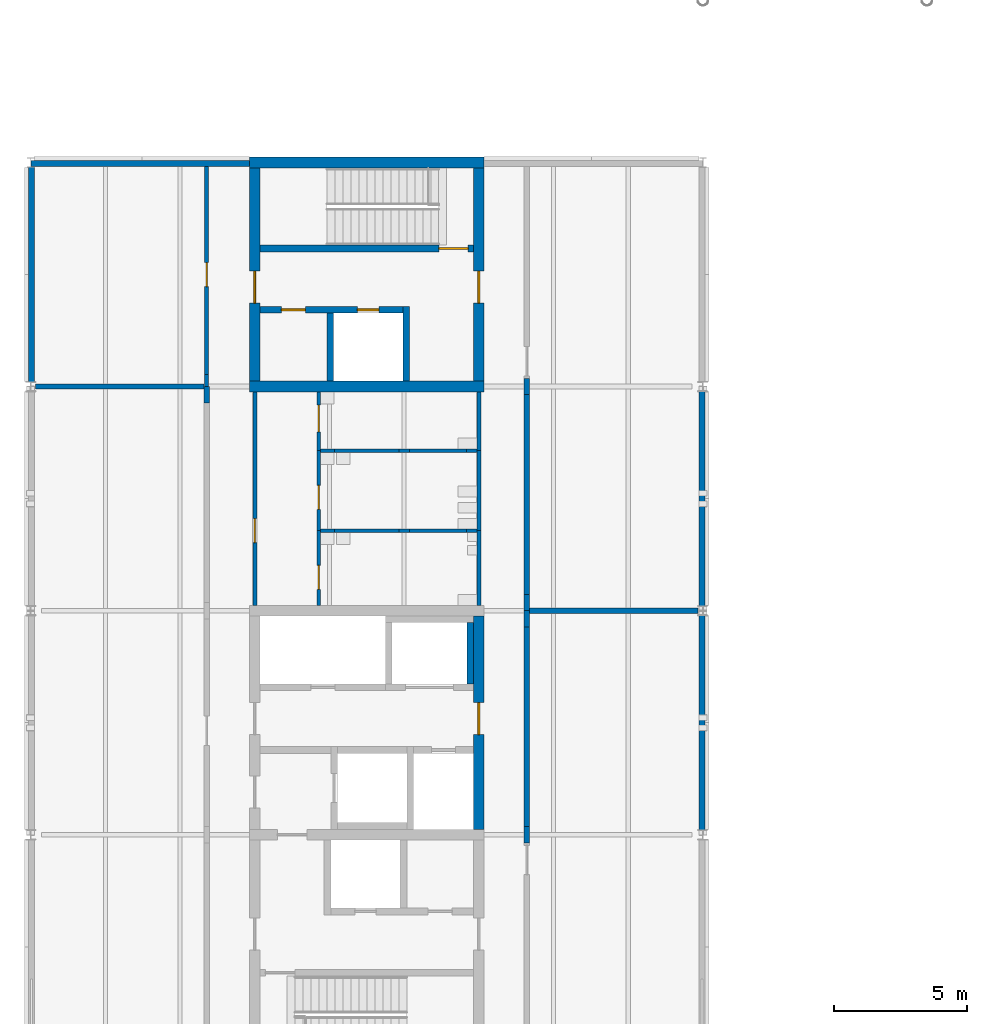
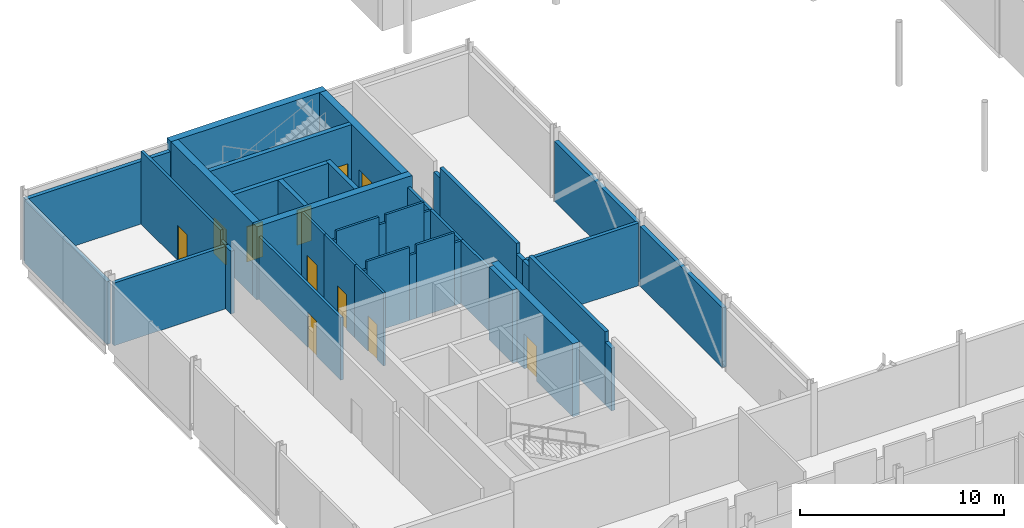
# One storey, part 51 of 89: 42 walls, 11 doors, 11 openings.
"""IFC4 building model written with IfcOpenShell, lengths in metres."""

import ifcopenshell
import ifcopenshell.guid

model = None  # the IFC model being written
_history = None  # IfcOwnerHistory: only IFC2X3 demands one
_inside = {}  # id of a spatial element -> (the spatial element, [elements in it])
_under = {}  # id of a project, library or spatial element -> (it, [spatial elements below it])
_declared = {}  # id of a project -> (the project, [libraries it declares])
_typed = {}  # id of a type object -> (the type object, [elements of that type])
_made_of = {}  # id of a material, layer set ... -> (it, [elements and type objects made of it])


def new_model(schema):
    """Start an empty IFC model of exactly this schema.

    Asked for "IFC4X3", IfcOpenShell would pick the latest addendum, in which some entities
    have other attributes; the version numbers below select the first issue.
    IFC2X3 requires an IfcOwnerHistory on every rooted entity: one is made here for all.
    """
    global model, _history
    if schema == "IFC4X3":
        model = ifcopenshell.file(schema_version=(4, 3, 0, 0))
    else:
        model = ifcopenshell.file(schema=schema)
    _inside.clear()
    _under.clear()
    _declared.clear()
    _typed.clear()
    _made_of.clear()
    _history = None
    if model.schema == "IFC2X3":
        org = make("IfcOrganization", Name="unknown")
        user = make(
            "IfcPersonAndOrganization",
            ThePerson=make("IfcPerson", FamilyName="unknown"),
            TheOrganization=org,
        )
        app = make(
            "IfcApplication",
            ApplicationDeveloper=org,
            Version="unknown",
            ApplicationFullName="unknown",
            ApplicationIdentifier="unknown",
        )
        _history = make(
            "IfcOwnerHistory",
            OwningUser=user,
            OwningApplication=app,
            ChangeAction="ADDED",
            CreationDate=0,
        )
    return model


def make(cls, **values):
    """One entity of the class cls with the attributes given. An attribute that is None is left unset."""
    return model.create_entity(
        cls, **{name: value for name, value in values.items() if value is not None}
    )


def rooted(cls, **values):
    """An entity with a GlobalId (a new one), such as an element, a storey or a relation."""
    return make(cls, GlobalId=ifcopenshell.guid.new(), OwnerHistory=_history, **values)


def si_unit(unit_type, name, prefix=None):
    """IfcSIUnit, for example si_unit("LENGTHUNIT", "METRE", prefix="MILLI")."""
    return make("IfcSIUnit", UnitType=unit_type, Prefix=prefix, Name=name)


def assignment(units):
    """IfcUnitAssignment: the units of a project."""
    return None if units is None else make("IfcUnitAssignment", Units=units)


def point(xyz):
    """IfcCartesianPoint."""
    return None if xyz is None else make("IfcCartesianPoint", Coordinates=xyz)


def direction(xyz):
    """IfcDirection."""
    return None if xyz is None else make("IfcDirection", DirectionRatios=xyz)


def frame(location, z_axis=None, x_axis=None):
    """IfcAxis2Placement3D, a coordinate frame: its origin and axes. An axis left out is left unset."""
    return make(
        "IfcAxis2Placement3D",
        Location=point(location),
        Axis=direction(z_axis),
        RefDirection=direction(x_axis),
    )


def frame_2d(location, x_axis=None):
    """IfcAxis2Placement2D, a coordinate frame in the plane: its origin and x axis."""
    return make(
        "IfcAxis2Placement2D", Location=point(location), RefDirection=direction(x_axis)
    )


def origin():
    """The frame at (0, 0, 0) with its axes left unset."""
    return frame((0.0, 0.0, 0.0))


def place(relative_to, where):
    """IfcLocalPlacement: puts the frame where relative to a parent placement (None: the world)."""
    return make(
        "IfcLocalPlacement", PlacementRelTo=relative_to, RelativePlacement=where
    )


def context(
    kind, dimensions, precision=None, world=None, true_north=None, identifier=None
):
    """IfcGeometricRepresentationContext, for example the 3D "Model" context."""
    return make(
        "IfcGeometricRepresentationContext",
        ContextIdentifier=identifier,
        ContextType=kind,
        CoordinateSpaceDimension=dimensions,
        Precision=precision,
        WorldCoordinateSystem=world,
        TrueNorth=true_north,
    )


def subcontext(parent, identifier, kind, view, scale=None):
    """IfcGeometricRepresentationSubContext, for example "Body" below "Model"."""
    return make(
        "IfcGeometricRepresentationSubContext",
        ContextIdentifier=identifier,
        ContextType=kind,
        ParentContext=parent,
        TargetScale=scale,
        TargetView=view,
    )


def project(units=None, contexts=None):
    """IfcProject with its units and contexts."""
    return rooted(
        "IfcProject",
        Name="project",
        RepresentationContexts=contexts,
        UnitsInContext=assignment(units),
    )


def spatial(cls, under=None, at=None, **own):
    """A site, building, storey or space (cls), placed at a placement, below another one or the project."""
    s = rooted(cls, ObjectPlacement=at, **own)
    if under is not None:
        _under.setdefault(under.id(), (under, []))[1].append(s)
    return s


def profile(cls, at=None, kind="AREA", **sizes):
    """A parametric profile (cls). Its sizes go by their IFC names, for example OverallWidth=200.0."""
    return make(cls, ProfileType=kind, Position=at, **sizes)


def rectangle(**sizes):
    """IfcRectangleProfileDef."""
    return profile("IfcRectangleProfileDef", **sizes)


def extrude(swept, where, along, depth):
    """IfcExtrudedAreaSolid: the profile swept, set in the frame where, extruded along a direction by depth."""
    return make(
        "IfcExtrudedAreaSolid",
        SweptArea=swept,
        Position=where,
        ExtrudedDirection=direction(along),
        Depth=depth,
    )


def shape(context_of_items, identifier, shape_type, items):
    """IfcShapeRepresentation: the items that make up one representation, for example the "Body"."""
    return make(
        "IfcShapeRepresentation",
        ContextOfItems=context_of_items,
        RepresentationIdentifier=identifier,
        RepresentationType=shape_type,
        Items=items,
    )


def material(Name=None, Category=None):
    """IfcMaterial."""
    return make("IfcMaterial", Name=Name, Category=Category)


def layer(
    of_material, thickness, ventilated=None, Name=None, Category=None, Priority=None
):
    """IfcMaterialLayer: one layer of a wall or slab, of a material (None: an air gap)."""
    return make(
        "IfcMaterialLayer",
        Material=of_material,
        LayerThickness=thickness,
        IsVentilated=ventilated,
        Name=Name,
        Category=Category,
        Priority=Priority,
    )


def layer_set(layers, Name=None):
    """IfcMaterialLayerSet."""
    return make("IfcMaterialLayerSet", MaterialLayers=layers, LayerSetName=Name)


def made_of(thing, what):
    """Note that an element or type object is made of a material, layer set ...; save() writes the relation."""
    if what is not None:
        _made_of.setdefault(what.id(), (what, []))[1].append(thing)
    return thing


def type_object(cls, material=None, **own):
    """A type object (cls), such as IfcWallType, which elements share."""
    return made_of(rooted(cls, **own), material)


def element(
    cls,
    number,
    at=None,
    inside=None,
    cuts=None,
    type_object=None,
    material=None,
    context=None,
    identifier="Body",
    shape_type=None,
    held_by="IfcProductDefinitionShape",
    body=None,
    shapes=None,
    **own,
):
    """One element of the class cls, such as IfcWall. Its Tag is "e" and its number.

    at: its placement. inside: the storey or other place that contains it. cuts: it is an
    opening in that element (IfcRelVoidsElement). A single representation is given by context,
    identifier, shape_type and body (its items); several are given by shapes. held_by: the class
    of the entity that holds the representations. save() writes the other relations.
    """
    e = rooted(cls, Tag="e%d" % number, ObjectPlacement=at, **own)
    if body is not None:
        shapes = [shape(context, identifier, shape_type, body)]
    if shapes is not None:
        e.Representation = make(held_by, Representations=shapes)
    if inside is not None:
        _inside.setdefault(inside.id(), (inside, []))[1].append(e)
    if cuts is not None:
        rooted(
            "IfcRelVoidsElement", RelatingBuildingElement=cuts, RelatedOpeningElement=e
        )
    if type_object is not None:
        _typed.setdefault(type_object.id(), (type_object, []))[1].append(e)
    return made_of(e, material)


def fill(opening, filler):
    """IfcRelFillsElement: the door or window that sits in an opening."""
    return rooted(
        "IfcRelFillsElement",
        RelatingOpeningElement=opening,
        RelatedBuildingElement=filler,
    )


def aggregate(whole, parts):
    """IfcRelAggregates: a whole, such as a stair, and the parts it consists of."""
    return rooted("IfcRelAggregates", RelatingObject=whole, RelatedObjects=parts)


def save(model, path):
    """Write the relations noted so far, then the file.

    IfcRelAggregates (storeys below a building ...), IfcRelContainedInSpatialStructure (elements
    in a storey), IfcRelDefinesByType, IfcRelAssociatesMaterial and IfcRelDeclares: one each for
    every whole, place, type object, material and project.
    """
    for whole, parts in _under.values():
        aggregate(whole, parts)
    for where, things in _inside.values():
        rooted(
            "IfcRelContainedInSpatialStructure",
            RelatedElements=things,
            RelatingStructure=where,
        )
    for kind, things in _typed.values():
        rooted("IfcRelDefinesByType", RelatedObjects=things, RelatingType=kind)
    for what, things in _made_of.values():
        rooted("IfcRelAssociatesMaterial", RelatedObjects=things, RelatingMaterial=what)
    for by, libraries in _declared.values():
        rooted("IfcRelDeclares", RelatingContext=by, RelatedDefinitions=libraries)
    model.write(path)


model = new_model("IFC4")

# Units and contexts
model_context = context("Model", 3, precision=1e-05, world=origin(), true_north=direction((0.0, 1.0)))
body_context = subcontext(model_context, "Body", "Model", "MODEL_VIEW")
ifc_project = project(units=[si_unit("LENGTHUNIT", "METRE"), si_unit("AREAUNIT", "SQUARE_METRE"), si_unit("VOLUMEUNIT", "CUBIC_METRE"), si_unit("PLANEANGLEUNIT", "RADIAN"), si_unit("MASSUNIT", "GRAM", prefix="KILO")], contexts=[model_context])

# Site, building, storey
site_placement = place(None, origin())
site = spatial("IfcSite", under=ifc_project, at=site_placement, CompositionType="ELEMENT")
building_placement = place(site_placement, origin())
building = spatial("IfcBuilding", under=site, at=building_placement, Name="Hlaing Beacon Police Headquarters", CompositionType="ELEMENT")
storey_placement = place(building_placement, frame((0.0, 0.0, 9.89990234375)))
storey = spatial("IfcBuildingStorey", under=building, at=storey_placement, Name="L02", CompositionType="ELEMENT", Elevation=9.89990234375)

# Wall, opening, door
ifc_material_1 = material(Name="Concrete C60/75", Category="concrete")
ifc_layer_1 = layer(ifc_material_1, 0.39990234375)
ifc_layer_set_1 = layer_set([ifc_layer_1], Name="Concrete C60/75")
wall_type_1 = type_object("IfcWallType", Name="Core shear wall 400", PredefinedType="SHEAR", material=ifc_layer_set_1)
wall_1_placement = place(storey_placement, frame((25.199951171875, 42.199951171875, 0.0), z_axis=(0.0, 0.0, 1.0), x_axis=(0.0, 1.0, 0.0)))
wall_1 = element("IfcWall", 1, at=wall_1_placement, inside=storey, type_object=wall_type_1, Name="Core shear wall", PredefinedType="SHEAR", context=body_context, shape_type="SweptSolid", body=[
    extrude(rectangle(XDim=8.0, YDim=0.39990234375, at=frame_2d((4.0, 0.0))), origin(), (0.0, 0.0, 1.0), 4.3701171875),
])
opening_1_placement = place(wall_1_placement, frame((3.550048828125, 0.0, 0.0)))
opening_1 = element("IfcOpeningElement", 2, at=opening_1_placement, cuts=wall_1, Name="Opening L02-930", PredefinedType="OPENING", context=body_context, shape_type="SweptSolid", body=[
    extrude(rectangle(XDim=1.199951171875, YDim=2.10009765625, at=frame_2d((0.60009765625, 1.050048828125))), frame((0.0, 0.2099609375, 0.0), z_axis=(0.0, -1.0, 0.0), x_axis=(1.0, 0.0, 0.0)), (0.0, 0.0, 1.0), 0.419921875),
])
ifc_material_2 = material(Name="Steel fire door leaf", Category="steel")
ifc_layer_2 = layer(ifc_material_2, 0.070068359375)
ifc_layer_set_2 = layer_set([ifc_layer_2], Name="Steel fire door leaf")
door_type_1 = type_object("IfcDoorType", Name="Steel fire door FD60S 1200x2100", OperationType="SINGLE_SWING_LEFT", PredefinedType="DOOR", material=ifc_layer_set_2)
door_1_placement = place(opening_1_placement, origin())
door_1 = element("IfcDoor", 3, at=door_1_placement, inside=storey, type_object=door_type_1, Name="Door Lift Lobby Entry", OperationType="SINGLE_SWING_LEFT", OverallHeight=2.10009765625, OverallWidth=1.199951171875, PredefinedType="DOOR", context=body_context, shape_type="SweptSolid", body=[
    extrude(rectangle(XDim=1.199951171875, YDim=2.10009765625, at=frame_2d((0.60009765625, 1.050048828125))), frame((0.0, 0.03515625, 0.0), z_axis=(0.0, -1.0, 0.0), x_axis=(1.0, 0.0, 0.0)), (0.0, 0.0, 1.0), 0.070068359375),
])
fill(opening_1, door_1)

# Walls
for number, where, z_axis, x_axis, name in (
    (4, (16.60009765625, 58.800048828125, 0.0), (0.0, 0.0, 1.0), (1.0, 0.0, 0.0), "Core shear wall"),
    (5, (16.60009765625, 67.199951171875, 0.0), (0.0, 0.0, 1.0), (1.0, 0.0, 0.0), "Core shear wall"),
):
    element("IfcWall", number, at=place(storey_placement, frame(where, z_axis=z_axis, x_axis=x_axis)), inside=storey, type_object=wall_type_1, Name=name, PredefinedType="SHEAR", context=body_context, shape_type="SweptSolid", body=[
        extrude(rectangle(XDim=8.7998046875, YDim=0.39990234375, at=frame_2d((4.39990234375, 0.0))), origin(), (0.0, 0.0, 1.0), 4.3701171875),
    ])

# Wall, opening, door
wall_2_placement = place(storey_placement, frame((16.800048828125, 59.0, 0.0), z_axis=(0.0, 0.0, 1.0), x_axis=(0.0, 1.0, 0.0)))
wall_2 = element("IfcWall", 6, at=wall_2_placement, inside=storey, type_object=wall_type_1, Name="Core shear wall", PredefinedType="SHEAR", context=body_context, shape_type="SweptSolid", body=[
    extrude(rectangle(XDim=8.0, YDim=0.39990234375, at=frame_2d((4.0, 0.0))), origin(), (0.0, 0.0, 1.0), 4.3701171875),
])
opening_2_placement = place(wall_2_placement, frame((2.925048828125, 0.0, 0.0)))
opening_2 = element("IfcOpeningElement", 7, at=opening_2_placement, cuts=wall_2, Name="Opening L02-936", PredefinedType="OPENING", context=body_context, shape_type="SweptSolid", body=[
    extrude(rectangle(XDim=1.199951171875, YDim=2.10009765625, at=frame_2d((0.60009765625, 1.050048828125))), frame((0.0, 0.2099609375, 0.0), z_axis=(0.0, -1.0, 0.0), x_axis=(1.0, 0.0, 0.0)), (0.0, 0.0, 1.0), 0.419921875),
])
door_2_placement = place(opening_2_placement, frame((1.199951171875, 0.0, 0.0), z_axis=(0.0, 0.0, 1.0), x_axis=(-1.0, 0.0, 0.0)))
door_2 = element("IfcDoor", 8, at=door_2_placement, inside=storey, type_object=door_type_1, Name="Door Stair Lobby ST-P Entry", OperationType="SINGLE_SWING_LEFT", OverallHeight=2.10009765625, OverallWidth=1.199951171875, PredefinedType="DOOR", context=body_context, shape_type="SweptSolid", body=[
    extrude(rectangle(XDim=1.199951171875, YDim=2.10009765625, at=frame_2d((0.599853515625, 1.050048828125))), frame((0.0, 0.034912109375, 0.0), z_axis=(0.0, -1.0, 0.0), x_axis=(1.0, 0.0, 0.0)), (0.0, 0.0, 1.0), 0.070068359375),
])
fill(opening_2, door_2)

wall_3_placement = place(storey_placement, frame((25.199951171875, 59.0, 0.0), z_axis=(0.0, 0.0, 1.0), x_axis=(0.0, 1.0, 0.0)))
wall_3 = element("IfcWall", 9, at=wall_3_placement, inside=storey, type_object=wall_type_1, Name="Core shear wall", PredefinedType="SHEAR", context=body_context, shape_type="SweptSolid", body=[
    extrude(rectangle(XDim=8.0, YDim=0.39990234375, at=frame_2d((4.0, 0.0))), origin(), (0.0, 0.0, 1.0), 4.3701171875),
])
opening_3_placement = place(wall_3_placement, frame((2.925048828125, 0.0, 0.0)))
opening_3 = element("IfcOpeningElement", 10, at=opening_3_placement, cuts=wall_3, Name="Opening L02-937", PredefinedType="OPENING", context=body_context, shape_type="SweptSolid", body=[
    extrude(rectangle(XDim=1.199951171875, YDim=2.10009765625, at=frame_2d((0.60009765625, 1.050048828125))), frame((0.0, 0.2099609375, 0.0), z_axis=(0.0, -1.0, 0.0), x_axis=(1.0, 0.0, 0.0)), (0.0, 0.0, 1.0), 0.419921875),
])
door_3_placement = place(opening_3_placement, origin())
door_3 = element("IfcDoor", 11, at=door_3_placement, inside=storey, type_object=door_type_1, Name="Door Stair Lobby ST-P Entry", OperationType="SINGLE_SWING_RIGHT", OverallHeight=2.10009765625, OverallWidth=1.199951171875, PredefinedType="DOOR", context=body_context, shape_type="SweptSolid", body=[
    extrude(rectangle(XDim=1.199951171875, YDim=2.10009765625, at=frame_2d((0.60009765625, 1.050048828125))), frame((0.0, 0.03515625, 0.0), z_axis=(0.0, -1.0, 0.0), x_axis=(1.0, 0.0, 0.0)), (0.0, 0.0, 1.0), 0.070068359375),
])
fill(opening_3, door_3)

# Walls
ifc_material_3 = material(Name="Gypsum board partition")
ifc_layer_3 = layer(ifc_material_3, 0.14990234375)
ifc_layer_set_3 = layer_set([ifc_layer_3], Name="Gypsum board partition")
wall_type_2 = type_object("IfcWallType", Name="Corridor wall EI 30 150", PredefinedType="PARTITIONING", material=ifc_layer_set_3)
wall_4_placement = place(storey_placement, frame((25.199951171875, 56.39990234375, 0.0), z_axis=(0.0, 0.0, 1.0), x_axis=(0.0, 1.0, 0.0)))
element("IfcWall", 12, at=wall_4_placement, inside=storey, type_object=wall_type_2, Name="Corridor wall EI 30 150", PredefinedType="PARTITIONING", context=body_context, shape_type="SweptSolid", body=[
    extrude(rectangle(XDim=2.2001953125, YDim=0.14990234375, at=frame_2d((1.10009765625, 0.0))), origin(), (0.0, 0.0, 1.0), 3.74609375),
])
wall_5_placement = place(storey_placement, frame((25.199951171875, 53.39990234375, 0.0), z_axis=(0.0, 0.0, 1.0), x_axis=(0.0, 1.0, 0.0)))
element("IfcWall", 13, at=wall_5_placement, inside=storey, type_object=wall_type_2, Name="Corridor wall EI 30 150", PredefinedType="PARTITIONING", context=body_context, shape_type="SweptSolid", body=[
    extrude(rectangle(XDim=3.0, YDim=0.14990234375, at=frame_2d((1.5, 0.0))), origin(), (0.0, 0.0, 1.0), 3.74609375),
])
wall_6_placement = place(storey_placement, frame((25.199951171875, 50.60009765625, 0.0), z_axis=(0.0, 0.0, 1.0), x_axis=(0.0, 1.0, 0.0)))
element("IfcWall", 14, at=wall_6_placement, inside=storey, type_object=wall_type_2, Name="Corridor wall EI 30 150", PredefinedType="PARTITIONING", context=body_context, shape_type="SweptSolid", body=[
    extrude(rectangle(XDim=2.7998046875, YDim=0.14990234375, at=frame_2d((1.39990234375, 0.0))), origin(), (0.0, 0.0, 1.0), 3.74609375),
])

# Wall, opening, door
wall_7_placement = place(storey_placement, frame((16.800048828125, 50.60009765625, 0.0), z_axis=(0.0, 0.0, 1.0), x_axis=(0.0, 1.0, 0.0)))
wall_7 = element("IfcWall", 15, at=wall_7_placement, inside=storey, type_object=wall_type_2, Name="Corridor wall EI 30 150", PredefinedType="PARTITIONING", context=body_context, shape_type="SweptSolid", body=[
    extrude(rectangle(XDim=8.0, YDim=0.14990234375, at=frame_2d((4.0, 0.0))), origin(), (0.0, 0.0, 1.0), 3.74609375),
])
opening_4_placement = place(wall_7_placement, frame((2.35009765625, 0.0, 0.0)))
opening_4 = element("IfcOpeningElement", 16, at=opening_4_placement, cuts=wall_7, Name="Opening L02-034", PredefinedType="OPENING", context=body_context, shape_type="SweptSolid", body=[
    extrude(rectangle(XDim=0.89990234375, YDim=2.10009765625, at=frame_2d((0.449951171875, 1.050048828125))), frame((0.0, 0.0849609375, 0.0), z_axis=(0.0, -1.0, 0.0), x_axis=(1.0, 0.0, 0.0)), (0.0, 0.0, 1.0), 0.169921875),
])
ifc_material_4 = material(Name="Hardwood door leaf", Category="wood")
ifc_layer_4 = layer(ifc_material_4, 0.050048828125)
ifc_layer_set_4 = layer_set([ifc_layer_4], Name="Hardwood door leaf")
door_type_2 = type_object("IfcDoorType", Name="Fire door FD30S 900x2100", OperationType="SINGLE_SWING_LEFT", PredefinedType="DOOR", material=ifc_layer_set_4)
door_4_placement = place(opening_4_placement, frame((0.89990234375, 0.0, 0.0), z_axis=(0.0, 0.0, 1.0), x_axis=(-1.0, 0.0, 0.0)))
door_4 = element("IfcDoor", 17, at=door_4_placement, inside=storey, type_object=door_type_2, Name="Door WC Lobby", OperationType="SINGLE_SWING_LEFT", OverallHeight=2.10009765625, OverallWidth=0.89990234375, PredefinedType="DOOR", context=body_context, shape_type="SweptSolid", body=[
    extrude(rectangle(XDim=0.89990234375, YDim=2.10009765625, at=frame_2d((0.449951171875, 1.050048828125))), frame((0.0, 0.025146484375, 0.0), z_axis=(0.0, -1.0, 0.0), x_axis=(1.0, 0.0, 0.0)), (0.0, 0.0, 1.0), 0.050048828125),
])
fill(opening_4, door_4)

# Wall
wall_8_placement = place(storey_placement, frame((15.0, 58.800048828125, 0.0), z_axis=(0.0, 0.0, 1.0), x_axis=(0.0, 1.0, 0.0)))
element("IfcWall", 18, at=wall_8_placement, inside=storey, type_object=wall_type_2, Name="Corridor wall EI 30 150", PredefinedType="PARTITIONING", context=body_context, shape_type="SweptSolid", body=[
    extrude(rectangle(XDim=0.4599609375, YDim=0.14990234375, at=frame_2d((0.22998046875, 0.0))), origin(), (0.0, 0.0, 1.0), 3.74609375),
])

# Wall, opening, door
wall_9_placement = place(storey_placement, frame((15.0, 59.260009765625, 0.0), z_axis=(0.0, 0.0, 1.0), x_axis=(0.0, 1.0, 0.0)))
wall_9 = element("IfcWall", 19, at=wall_9_placement, inside=storey, type_object=wall_type_2, Name="Corridor wall EI 30 150", PredefinedType="PARTITIONING", context=body_context, shape_type="SweptSolid", body=[
    extrude(rectangle(XDim=7.7900390625, YDim=0.14990234375, at=frame_2d((3.89501953125, 0.0))), origin(), (0.0, 0.0, 1.0), 4.3701171875),
])
opening_5_placement = place(wall_9_placement, frame((3.2900390625, 0.0, 0.0)))
opening_5 = element("IfcOpeningElement", 20, at=opening_5_placement, cuts=wall_9, Name="Opening L02-037", PredefinedType="OPENING", context=body_context, shape_type="SweptSolid", body=[
    extrude(rectangle(XDim=0.89990234375, YDim=2.10009765625, at=frame_2d((0.449951171875, 1.050048828125))), frame((0.0, 0.0849609375, 0.0), z_axis=(0.0, -1.0, 0.0), x_axis=(1.0, 0.0, 0.0)), (0.0, 0.0, 1.0), 0.169921875),
])
door_5_placement = place(opening_5_placement, origin())
door_5 = element("IfcDoor", 21, at=door_5_placement, inside=storey, type_object=door_type_2, Name="Door Chemical Store", OperationType="SINGLE_SWING_RIGHT", OverallHeight=2.10009765625, OverallWidth=0.89990234375, PredefinedType="DOOR", context=body_context, shape_type="SweptSolid", body=[
    extrude(rectangle(XDim=0.89990234375, YDim=2.10009765625, at=frame_2d((0.449951171875, 1.050048828125))), frame((0.0, 0.02490234375, 0.0), z_axis=(0.0, -1.0, 0.0), x_axis=(1.0, 0.0, 0.0)), (0.0, 0.0, 1.0), 0.050048828125),
])
fill(opening_5, door_5)

# Walls
ifc_material_5 = material(Name="Concrete blockwork 7.5 N/mm2", Category="masonry")
ifc_layer_5 = layer(ifc_material_5, 0.199951171875)
ifc_layer_set_5 = layer_set([ifc_layer_5], Name="Concrete blockwork 7.5 N/mm2")
wall_type_3 = type_object("IfcWallType", Name="Laboratory wall EI 60 200", PredefinedType="PARTITIONING", material=ifc_layer_set_5)
wall_10_placement = place(storey_placement, frame((27.0, 41.695068359375, 0.0), z_axis=(0.0, 0.0, 1.0), x_axis=(0.0, 1.0, 0.0)))
element("IfcWall", 22, at=wall_10_placement, inside=storey, type_object=wall_type_3, Name="Laboratory wall EI 60 200", PredefinedType="PARTITIONING", context=body_context, shape_type="SweptSolid", body=[
    extrude(rectangle(XDim=0.60986328125, YDim=0.199951171875, at=frame_2d((0.304931640625, 0.0))), origin(), (0.0, 0.0, 1.0), 3.74609375),
])
wall_11_placement = place(storey_placement, frame((27.0, 42.304931640625, 0.0), z_axis=(0.0, 0.0, 1.0), x_axis=(0.0, 1.0, 0.0)))
element("IfcWall", 23, at=wall_11_placement, inside=storey, type_object=wall_type_3, Name="Laboratory wall EI 60 200", PredefinedType="PARTITIONING", context=body_context, shape_type="SweptSolid", body=[
    extrude(rectangle(XDim=7.485107421875, YDim=0.199951171875, at=frame_2d((3.74267578125, 0.0))), origin(), (0.0, 0.0, 1.0), 4.3701171875),
])
wall_12_placement = place(storey_placement, frame((27.0, 49.7900390625, 0.0), z_axis=(0.0, 0.0, 1.0), x_axis=(0.0, 1.0, 0.0)))
element("IfcWall", 24, at=wall_12_placement, inside=storey, type_object=wall_type_3, Name="Laboratory wall EI 60 200", PredefinedType="PARTITIONING", context=body_context, shape_type="SweptSolid", body=[
    extrude(rectangle(XDim=0.60986328125, YDim=0.199951171875, at=frame_2d((0.304931640625, 0.0))), origin(), (0.0, 0.0, 1.0), 3.74609375),
])
wall_13_placement = place(storey_placement, frame((27.0, 50.39990234375, 0.0), z_axis=(0.0, 0.0, 1.0), x_axis=(0.0, 1.0, 0.0)))
element("IfcWall", 25, at=wall_13_placement, inside=storey, type_object=wall_type_3, Name="Laboratory wall EI 60 200", PredefinedType="PARTITIONING", context=body_context, shape_type="SweptSolid", body=[
    extrude(rectangle(XDim=0.610107421875, YDim=0.199951171875, at=frame_2d((0.30517578125, 0.0))), origin(), (0.0, 0.0, 1.0), 3.74609375),
])
wall_14_placement = place(storey_placement, frame((27.0, 51.010009765625, 0.0), z_axis=(0.0, 0.0, 1.0), x_axis=(0.0, 1.0, 0.0)))
element("IfcWall", 26, at=wall_14_placement, inside=storey, type_object=wall_type_3, Name="Laboratory wall EI 60 200", PredefinedType="PARTITIONING", context=body_context, shape_type="SweptSolid", body=[
    extrude(rectangle(XDim=7.485107421875, YDim=0.199951171875, at=frame_2d((3.74267578125, 0.0))), origin(), (0.0, 0.0, 1.0), 4.3701171875),
])
wall_15_placement = place(storey_placement, frame((27.0, 58.4951171875, 0.0), z_axis=(0.0, 0.0, 1.0), x_axis=(0.0, 1.0, 0.0)))
element("IfcWall", 27, at=wall_15_placement, inside=storey, type_object=wall_type_3, Name="Laboratory wall EI 60 200", PredefinedType="PARTITIONING", context=body_context, shape_type="SweptSolid", body=[
    extrude(rectangle(XDim=0.60986328125, YDim=0.199951171875, at=frame_2d((0.304931640625, 0.0))), origin(), (0.0, 0.0, 1.0), 3.74609375),
])
wall_16_placement = place(storey_placement, frame((15.0, 58.18994140625, 0.0), z_axis=(0.0, 0.0, 1.0), x_axis=(0.0, 1.0, 0.0)))
element("IfcWall", 28, at=wall_16_placement, inside=storey, type_object=wall_type_3, Name="Laboratory wall EI 60 200", PredefinedType="PARTITIONING", context=body_context, shape_type="SweptSolid", body=[
    extrude(rectangle(XDim=0.610107421875, YDim=0.199951171875, at=frame_2d((0.30517578125, 0.0))), origin(), (0.0, 0.0, 1.0), 3.74609375),
])
for number, where, z_axis, x_axis, name in (
    (29, (27.10009765625, 50.39990234375, 0.0), (0.0, 0.0, 1.0), (1.0, 0.0, 0.0), "Laboratory wall EI 60 200"),
    (30, (8.5869140625, 58.800048828125, 0.0), (0.0, 0.0, 1.0), (1.0, 0.0, 0.0), "Laboratory wall EI 60 200"),
):
    element("IfcWall", number, at=place(storey_placement, frame(where, z_axis=z_axis, x_axis=x_axis)), inside=storey, type_object=wall_type_3, Name=name, PredefinedType="PARTITIONING", context=body_context, shape_type="SweptSolid", body=[
        extrude(rectangle(XDim=6.31298828125, YDim=0.199951171875, at=frame_2d((3.156494140625, 0.0))), origin(), (0.0, 0.0, 1.0), 3.74609375),
    ])
ifc_material_6 = material(Name="Gypsum board partition")
ifc_layer_6 = layer(ifc_material_6, 0.125)
ifc_layer_set_6 = layer_set([ifc_layer_6], Name="Gypsum board partition")
wall_type_4 = type_object("IfcWallType", Name="Partition 125", PredefinedType="PARTITIONING", material=ifc_layer_set_6)
wall_17_placement = place(storey_placement, frame((19.261962890625, 56.39990234375, 0.0), z_axis=(0.0, 0.0, 1.0), x_axis=(1.0, 0.0, 0.0)))
element("IfcWall", 31, at=wall_17_placement, inside=storey, type_object=wall_type_4, Name="Partition 125", PredefinedType="PARTITIONING", context=body_context, shape_type="SweptSolid", body=[
    extrude(rectangle(XDim=0.531005859375, YDim=0.125, at=frame_2d((0.265625, 0.0))), origin(), (0.0, 0.0, 1.0), 3.89501953125),
])
wall_18_placement = place(storey_placement, frame((19.79296875, 56.39990234375, 0.0), z_axis=(0.0, 0.0, 1.0), x_axis=(1.0, 0.0, 0.0)))
element("IfcWall", 32, at=wall_18_placement, inside=storey, type_object=wall_type_4, Name="Partition 125", PredefinedType="PARTITIONING", context=body_context, shape_type="SweptSolid", body=[
    extrude(rectangle(XDim=2.4140625, YDim=0.125, at=frame_2d((1.20703125, 0.0))), origin(), (0.0, 0.0, 1.0), 4.3701171875),
])
wall_19_placement = place(storey_placement, frame((22.20703125, 56.39990234375, 0.0), z_axis=(0.0, 0.0, 1.0), x_axis=(1.0, 0.0, 0.0)))
element("IfcWall", 33, at=wall_19_placement, inside=storey, type_object=wall_type_4, Name="Partition 125", PredefinedType="PARTITIONING", context=body_context, shape_type="SweptSolid", body=[
    extrude(rectangle(XDim=0.385009765625, YDim=0.125, at=frame_2d((0.1923828125, 0.0))), origin(), (0.0, 0.0, 1.0), 3.89501953125),
])
wall_20_placement = place(storey_placement, frame((22.592041015625, 56.39990234375, 0.0), z_axis=(0.0, 0.0, 1.0), x_axis=(1.0, 0.0, 0.0)))
element("IfcWall", 34, at=wall_20_placement, inside=storey, type_object=wall_type_4, Name="Partition 125", PredefinedType="PARTITIONING", context=body_context, shape_type="SweptSolid", body=[
    extrude(rectangle(XDim=2.14794921875, YDim=0.125, at=frame_2d((1.073974609375, 0.0))), origin(), (0.0, 0.0, 1.0), 4.3701171875),
])
wall_21_placement = place(storey_placement, frame((24.739990234375, 56.39990234375, 0.0), z_axis=(0.0, 0.0, 1.0), x_axis=(1.0, 0.0, 0.0)))
element("IfcWall", 35, at=wall_21_placement, inside=storey, type_object=wall_type_4, Name="Partition 125", PredefinedType="PARTITIONING", context=body_context, shape_type="SweptSolid", body=[
    extrude(rectangle(XDim=0.385009765625, YDim=0.125, at=frame_2d((0.1923828125, 0.0))), origin(), (0.0, 0.0, 1.0), 3.74609375),
])

# Wall, opening, door
wall_22_placement = place(storey_placement, frame((19.199951171875, 56.39990234375, 0.0), z_axis=(0.0, 0.0, 1.0), x_axis=(0.0, 1.0, 0.0)))
wall_22 = element("IfcWall", 36, at=wall_22_placement, inside=storey, type_object=wall_type_4, Name="Partition 125", PredefinedType="PARTITIONING", context=body_context, shape_type="SweptSolid", body=[
    extrude(rectangle(XDim=2.2001953125, YDim=0.125, at=frame_2d((1.10009765625, 0.0))), origin(), (0.0, 0.0, 1.0), 4.3701171875),
])
opening_6_placement = place(wall_22_placement, frame((0.699951171875, 0.0, 0.0)))
opening_6 = element("IfcOpeningElement", 37, at=opening_6_placement, cuts=wall_22, Name="Opening L02-032", PredefinedType="OPENING", context=body_context, shape_type="SweptSolid", body=[
    extrude(rectangle(XDim=1.0, YDim=2.10009765625, at=frame_2d((0.5, 1.050048828125))), frame((0.0, 0.072509765625, 0.0), z_axis=(0.0, -1.0, 0.0), x_axis=(1.0, 0.0, 0.0)), (0.0, 0.0, 1.0), 0.14501953125),
])
ifc_material_7 = material(Name="Hardwood door leaf", Category="wood")
ifc_layer_7 = layer(ifc_material_7, 0.0400390625)
ifc_layer_set_7 = layer_set([ifc_layer_7], Name="Hardwood door leaf")
door_type_3 = type_object("IfcDoorType", Name="Door 1000x2100", OperationType="SINGLE_SWING_LEFT", PredefinedType="DOOR", material=ifc_layer_set_7)
door_6_placement = place(opening_6_placement, frame((1.0, 0.0, 0.0), z_axis=(0.0, 0.0, 1.0), x_axis=(-1.0, 0.0, 0.0)))
door_6 = element("IfcDoor", 38, at=door_6_placement, inside=storey, type_object=door_type_3, Name="Door Accessible WC", OperationType="SINGLE_SWING_LEFT", OverallHeight=2.10009765625, OverallWidth=1.0, PredefinedType="DOOR", context=body_context, shape_type="SweptSolid", body=[
    extrude(rectangle(XDim=1.0, YDim=2.10009765625, at=frame_2d((0.5, 1.050048828125))), frame((0.0, 0.02001953125, 0.0), z_axis=(0.0, -1.0, 0.0), x_axis=(1.0, 0.0, 0.0)), (0.0, 0.0, 1.0), 0.0400390625),
])
fill(opening_6, door_6)

wall_23_placement = place(storey_placement, frame((19.199951171875, 53.39990234375, 0.0), z_axis=(0.0, 0.0, 1.0), x_axis=(0.0, 1.0, 0.0)))
wall_23 = element("IfcWall", 39, at=wall_23_placement, inside=storey, type_object=wall_type_4, Name="Partition 125", PredefinedType="PARTITIONING", context=body_context, shape_type="SweptSolid", body=[
    extrude(rectangle(XDim=3.0, YDim=0.125, at=frame_2d((1.5, 0.0))), origin(), (0.0, 0.0, 1.0), 4.3701171875),
])
opening_7_placement = place(wall_23_placement, frame((0.800048828125, 0.0, 0.0)))
opening_7 = element("IfcOpeningElement", 40, at=opening_7_placement, cuts=wall_23, Name="Opening L02-033", PredefinedType="OPENING", context=body_context, shape_type="SweptSolid", body=[
    extrude(rectangle(XDim=0.89990234375, YDim=2.10009765625, at=frame_2d((0.449951171875, 1.050048828125))), frame((0.0, 0.072509765625, 0.0), z_axis=(0.0, -1.0, 0.0), x_axis=(1.0, 0.0, 0.0)), (0.0, 0.0, 1.0), 0.14501953125),
])
ifc_material_8 = material(Name="Hardwood door leaf", Category="wood")
ifc_layer_8 = layer(ifc_material_8, 0.0400390625)
ifc_layer_set_8 = layer_set([ifc_layer_8], Name="Hardwood door leaf")
door_type_4 = type_object("IfcDoorType", Name="Door 900x2100", OperationType="SINGLE_SWING_LEFT", PredefinedType="DOOR", material=ifc_layer_set_8)
door_7_placement = place(opening_7_placement, frame((0.89990234375, 0.0, 0.0), z_axis=(0.0, 0.0, 1.0), x_axis=(-1.0, 0.0, 0.0)))
door_7 = element("IfcDoor", 41, at=door_7_placement, inside=storey, type_object=door_type_4, Name="Door Female WC", OperationType="SINGLE_SWING_LEFT", OverallHeight=2.10009765625, OverallWidth=0.89990234375, PredefinedType="DOOR", context=body_context, shape_type="SweptSolid", body=[
    extrude(rectangle(XDim=0.89990234375, YDim=2.10009765625, at=frame_2d((0.449951171875, 1.050048828125))), frame((0.0, 0.02001953125, 0.0), z_axis=(0.0, -1.0, 0.0), x_axis=(1.0, 0.0, 0.0)), (0.0, 0.0, 1.0), 0.0400390625),
])
fill(opening_7, door_7)

# Walls
wall_24_placement = place(storey_placement, frame((19.261962890625, 53.39990234375, 0.0), z_axis=(0.0, 0.0, 1.0), x_axis=(1.0, 0.0, 0.0)))
element("IfcWall", 42, at=wall_24_placement, inside=storey, type_object=wall_type_4, Name="Partition 125", PredefinedType="PARTITIONING", context=body_context, shape_type="SweptSolid", body=[
    extrude(rectangle(XDim=0.531005859375, YDim=0.125, at=frame_2d((0.265625, 0.0))), origin(), (0.0, 0.0, 1.0), 3.89501953125),
])
wall_25_placement = place(storey_placement, frame((19.79296875, 53.39990234375, 0.0), z_axis=(0.0, 0.0, 1.0), x_axis=(1.0, 0.0, 0.0)))
element("IfcWall", 43, at=wall_25_placement, inside=storey, type_object=wall_type_4, Name="Partition 125", PredefinedType="PARTITIONING", context=body_context, shape_type="SweptSolid", body=[
    extrude(rectangle(XDim=2.4140625, YDim=0.125, at=frame_2d((1.20703125, 0.0))), origin(), (0.0, 0.0, 1.0), 4.3701171875),
])
wall_26_placement = place(storey_placement, frame((22.20703125, 53.39990234375, 0.0), z_axis=(0.0, 0.0, 1.0), x_axis=(1.0, 0.0, 0.0)))
element("IfcWall", 44, at=wall_26_placement, inside=storey, type_object=wall_type_4, Name="Partition 125", PredefinedType="PARTITIONING", context=body_context, shape_type="SweptSolid", body=[
    extrude(rectangle(XDim=0.385009765625, YDim=0.125, at=frame_2d((0.1923828125, 0.0))), origin(), (0.0, 0.0, 1.0), 3.89501953125),
])
wall_27_placement = place(storey_placement, frame((22.592041015625, 53.39990234375, 0.0), z_axis=(0.0, 0.0, 1.0), x_axis=(1.0, 0.0, 0.0)))
element("IfcWall", 45, at=wall_27_placement, inside=storey, type_object=wall_type_4, Name="Partition 125", PredefinedType="PARTITIONING", context=body_context, shape_type="SweptSolid", body=[
    extrude(rectangle(XDim=2.14794921875, YDim=0.125, at=frame_2d((1.073974609375, 0.0))), origin(), (0.0, 0.0, 1.0), 4.3701171875),
])
wall_28_placement = place(storey_placement, frame((24.739990234375, 53.39990234375, 0.0), z_axis=(0.0, 0.0, 1.0), x_axis=(1.0, 0.0, 0.0)))
element("IfcWall", 46, at=wall_28_placement, inside=storey, type_object=wall_type_4, Name="Partition 125", PredefinedType="PARTITIONING", context=body_context, shape_type="SweptSolid", body=[
    extrude(rectangle(XDim=0.385009765625, YDim=0.125, at=frame_2d((0.1923828125, 0.0))), origin(), (0.0, 0.0, 1.0), 3.74609375),
])

# Wall, opening, door
wall_29_placement = place(storey_placement, frame((19.199951171875, 50.60009765625, 0.0), z_axis=(0.0, 0.0, 1.0), x_axis=(0.0, 1.0, 0.0)))
wall_29 = element("IfcWall", 47, at=wall_29_placement, inside=storey, type_object=wall_type_4, Name="Partition 125", PredefinedType="PARTITIONING", context=body_context, shape_type="SweptSolid", body=[
    extrude(rectangle(XDim=2.7998046875, YDim=0.125, at=frame_2d((1.39990234375, 0.0))), origin(), (0.0, 0.0, 1.0), 4.3701171875),
])
opening_8_placement = place(wall_29_placement, frame((0.60009765625, 0.0, 0.0)))
opening_8 = element("IfcOpeningElement", 48, at=opening_8_placement, cuts=wall_29, Name="Opening L02-035", PredefinedType="OPENING", context=body_context, shape_type="SweptSolid", body=[
    extrude(rectangle(XDim=0.89990234375, YDim=2.10009765625, at=frame_2d((0.449951171875, 1.050048828125))), frame((0.0, 0.072509765625, 0.0), z_axis=(0.0, -1.0, 0.0), x_axis=(1.0, 0.0, 0.0)), (0.0, 0.0, 1.0), 0.14501953125),
])
door_8_placement = place(opening_8_placement, frame((0.89990234375, 0.0, 0.0), z_axis=(0.0, 0.0, 1.0), x_axis=(-1.0, 0.0, 0.0)))
door_8 = element("IfcDoor", 49, at=door_8_placement, inside=storey, type_object=door_type_4, Name="Door Male WC", OperationType="SINGLE_SWING_LEFT", OverallHeight=2.10009765625, OverallWidth=0.89990234375, PredefinedType="DOOR", context=body_context, shape_type="SweptSolid", body=[
    extrude(rectangle(XDim=0.89990234375, YDim=2.10009765625, at=frame_2d((0.449951171875, 1.050048828125))), frame((0.0, 0.02001953125, 0.0), z_axis=(0.0, -1.0, 0.0), x_axis=(1.0, 0.0, 0.0)), (0.0, 0.0, 1.0), 0.0400390625),
])
fill(opening_8, door_8)

# Walls
ifc_material_9 = material(Name="Fibre cement ribbed cladding on insulated frame")
ifc_layer_9 = layer(ifc_material_9, 0.22509765625)
ifc_layer_set_9 = layer_set([ifc_layer_9], Name="Fibre cement ribbed cladding on insulated frame")
wall_type_5 = type_object("IfcWallType", Name="Ribbed fibre-cement clad wall 225", PredefinedType="SOLIDWALL", material=ifc_layer_set_9)
for number, where, z_axis, x_axis, name in (
    (50, (33.5625, 42.170654296875, 0.0), (0.0, 0.0, 1.0), (0.0, 1.0, 0.0), "External wall L02 E017"),
    (51, (33.5625, 50.57080078125, 0.0), (0.0, 0.0, 1.0), (0.0, 1.0, 0.0), "External wall L02 E018"),
):
    element("IfcWall", number, at=place(storey_placement, frame(where, z_axis=z_axis, x_axis=x_axis)), inside=storey, type_object=wall_type_5, Name=name, PredefinedType="SOLIDWALL", context=body_context, shape_type="SweptSolid", body=[
        extrude(rectangle(XDim=8.05859375, YDim=0.22509765625, at=frame_2d((4.029296875, 0.0))), origin(), (0.0, 0.0, 1.0), 3.588134765625),
    ])
wall_30_placement = place(storey_placement, frame((16.60009765625, 67.16259765625, 0.0), z_axis=(0.0, 0.0, 1.0), x_axis=(-1.0, 0.0, 0.0)))
element("IfcWall", 52, at=wall_30_placement, inside=storey, type_object=wall_type_5, Name="External wall L02 N021", PredefinedType="SOLIDWALL", context=body_context, shape_type="SweptSolid", body=[
    extrude(rectangle(XDim=8.19580078125, YDim=0.22509765625, at=frame_2d((4.097900390625, 0.0))), origin(), (0.0, 0.0, 1.0), 3.74609375),
])
wall_31_placement = place(storey_placement, frame((8.4375, 67.029541015625, 0.0), z_axis=(0.0, 0.0, 1.0), x_axis=(0.0, -1.0, 0.0)))
element("IfcWall", 53, at=wall_31_placement, inside=storey, type_object=wall_type_5, Name="External wall L02 W022", PredefinedType="SOLIDWALL", context=body_context, shape_type="SweptSolid", body=[
    extrude(rectangle(XDim=8.058837890625, YDim=0.22509765625, at=frame_2d((4.029296875, 0.0))), origin(), (0.0, 0.0, 1.0), 3.74609375),
])

# Wall, opening, door
ifc_material_10 = material(Name="Concrete C40/50", Category="concrete")
ifc_layer_10 = layer(ifc_material_10, 0.25)
ifc_layer_set_10 = layer_set([ifc_layer_10], Name="Concrete C40/50")
wall_type_6 = type_object("IfcWallType", Name="Shaft wall 250", PredefinedType="SOLIDWALL", material=ifc_layer_set_10)
wall_32_placement = place(storey_placement, frame((25.0, 63.97509765625, 0.0), z_axis=(0.0, 0.0, 1.0), x_axis=(-1.0, 0.0, 0.0)))
wall_32 = element("IfcWall", 54, at=wall_32_placement, inside=storey, type_object=wall_type_6, Name="Stair enclosure wall", PredefinedType="SOLIDWALL", context=body_context, shape_type="SweptSolid", body=[
    extrude(rectangle(XDim=8.0, YDim=0.25, at=frame_2d((4.0, 0.0))), origin(), (0.0, 0.0, 1.0), 4.3701171875),
])
opening_9_placement = place(wall_32_placement, frame((0.199951171875, 0.0, 0.0)))
opening_9 = element("IfcOpeningElement", 55, at=opening_9_placement, cuts=wall_32, Name="Opening L02-939", PredefinedType="OPENING", context=body_context, shape_type="SweptSolid", body=[
    extrude(rectangle(XDim=1.10009765625, YDim=2.10009765625, at=frame_2d((0.550048828125, 1.050048828125))), frame((0.0, 0.135009765625, 0.0), z_axis=(0.0, -1.0, 0.0), x_axis=(1.0, 0.0, 0.0)), (0.0, 0.0, 1.0), 0.27001953125),
])
ifc_material_11 = material(Name="Steel fire door leaf", Category="steel")
ifc_layer_11 = layer(ifc_material_11, 0.070068359375)
ifc_layer_set_11 = layer_set([ifc_layer_11], Name="Steel fire door leaf")
door_type_5 = type_object("IfcDoorType", Name="Steel fire door FD60 1100x2100", OperationType="SINGLE_SWING_LEFT", PredefinedType="DOOR", material=ifc_layer_set_11)
door_9_placement = place(opening_9_placement, frame((1.10009765625, 0.0, 0.0), z_axis=(0.0, 0.0, 1.0), x_axis=(-1.0, 0.0, 0.0)))
door_9 = element("IfcDoor", 56, at=door_9_placement, inside=storey, type_object=door_type_5, Name="Door Stair ST-P", OperationType="SINGLE_SWING_LEFT", OverallHeight=2.10009765625, OverallWidth=1.10009765625, PredefinedType="DOOR", context=body_context, shape_type="SweptSolid", body=[
    extrude(rectangle(XDim=1.10009765625, YDim=2.10009765625, at=frame_2d((0.550048828125, 1.050048828125))), frame((0.0, 0.034912109375, 0.0), z_axis=(0.0, -1.0, 0.0), x_axis=(1.0, 0.0, 0.0)), (0.0, 0.0, 1.0), 0.070068359375),
])
fill(opening_9, door_9)

# Wall
wall_33_placement = place(storey_placement, frame((22.47509765625, 61.800048828125, 0.0), z_axis=(0.0, 0.0, 1.0), x_axis=(0.0, -1.0, 0.0)))
element("IfcWall", 57, at=wall_33_placement, inside=storey, type_object=wall_type_6, Name="Lobby wall", PredefinedType="SOLIDWALL", context=body_context, shape_type="SweptSolid", body=[
    extrude(rectangle(XDim=2.800048828125, YDim=0.25, at=frame_2d((1.39990234375, 0.0))), origin(), (0.0, 0.0, 1.0), 4.3701171875),
])

# Wall, openings, doors
wall_34_placement = place(storey_placement, frame((22.35009765625, 61.675048828125, 0.0), z_axis=(0.0, 0.0, 1.0), x_axis=(-1.0, 0.0, 0.0)))
wall_34 = element("IfcWall", 58, at=wall_34_placement, inside=storey, type_object=wall_type_6, Name="Lobby wall", PredefinedType="SOLIDWALL", context=body_context, shape_type="SweptSolid", body=[
    extrude(rectangle(XDim=5.35009765625, YDim=0.25, at=frame_2d((2.675048828125, 0.0))), origin(), (0.0, 0.0, 1.0), 4.3701171875),
])
opening_10_placement = place(wall_34_placement, frame((3.64990234375, 0.0, 0.0)))
opening_10 = element("IfcOpeningElement", 59, at=opening_10_placement, cuts=wall_34, Name="Opening L02-935", PredefinedType="OPENING", context=body_context, shape_type="SweptSolid", body=[
    extrude(rectangle(XDim=0.89990234375, YDim=2.10009765625, at=frame_2d((0.449951171875, 1.050048828125))), frame((0.0, 0.135009765625, 0.0), z_axis=(0.0, -1.0, 0.0), x_axis=(1.0, 0.0, 0.0)), (0.0, 0.0, 1.0), 0.27001953125),
])
opening_11_placement = place(wall_34_placement, frame((0.89990234375, 0.0, 0.0)))
opening_11 = element("IfcOpeningElement", 60, at=opening_11_placement, cuts=wall_34, Name="Opening L02-938", PredefinedType="OPENING", context=body_context, shape_type="SweptSolid", body=[
    extrude(rectangle(XDim=0.800048828125, YDim=2.10009765625, at=frame_2d((0.39990234375, 1.050048828125))), frame((0.0, 0.135009765625, 0.0), z_axis=(0.0, -1.0, 0.0), x_axis=(1.0, 0.0, 0.0)), (0.0, 0.0, 1.0), 0.27001953125),
])
ifc_material_12 = material(Name="Steel fire door leaf", Category="steel")
ifc_layer_12 = layer(ifc_material_12, 0.070068359375)
ifc_layer_set_12 = layer_set([ifc_layer_12], Name="Steel fire door leaf")
door_type_6 = type_object("IfcDoorType", Name="Steel fire door FD60 800x2100", OperationType="SINGLE_SWING_LEFT", PredefinedType="DOOR", material=ifc_layer_set_12)
door_10_placement = place(opening_11_placement, origin())
door_10 = element("IfcDoor", 61, at=door_10_placement, inside=storey, type_object=door_type_6, Name="Door Services Riser", OperationType="SINGLE_SWING_RIGHT", OverallHeight=2.10009765625, OverallWidth=0.800048828125, PredefinedType="DOOR", context=body_context, shape_type="SweptSolid", body=[
    extrude(rectangle(XDim=0.800048828125, YDim=2.10009765625, at=frame_2d((0.39990234375, 1.050048828125))), frame((0.0, 0.03515625, 0.0), z_axis=(0.0, -1.0, 0.0), x_axis=(1.0, 0.0, 0.0)), (0.0, 0.0, 1.0), 0.070068359375),
])
fill(opening_11, door_10)
ifc_material_13 = material(Name="Steel fire door leaf", Category="steel")
ifc_layer_13 = layer(ifc_material_13, 0.070068359375)
ifc_layer_set_13 = layer_set([ifc_layer_13], Name="Steel fire door leaf")
door_type_7 = type_object("IfcDoorType", Name="Steel fire door FD60 900x2100", OperationType="SINGLE_SWING_LEFT", PredefinedType="DOOR", material=ifc_layer_set_13)
door_11_placement = place(opening_10_placement, origin())
door_11 = element("IfcDoor", 62, at=door_11_placement, inside=storey, type_object=door_type_7, Name="Door Cleaners' Store", OperationType="SINGLE_SWING_LEFT", OverallHeight=2.10009765625, OverallWidth=0.89990234375, PredefinedType="DOOR", context=body_context, shape_type="SweptSolid", body=[
    extrude(rectangle(XDim=0.89990234375, YDim=2.10009765625, at=frame_2d((0.449951171875, 1.050048828125))), frame((0.0, 0.03515625, 0.0), z_axis=(0.0, -1.0, 0.0), x_axis=(1.0, 0.0, 0.0)), (0.0, 0.0, 1.0), 0.070068359375),
])
fill(opening_10, door_11)

# Walls
wall_35_placement = place(storey_placement, frame((19.625, 61.550048828125, 0.0), z_axis=(0.0, 0.0, 1.0), x_axis=(0.0, -1.0, 0.0)))
element("IfcWall", 63, at=wall_35_placement, inside=storey, type_object=wall_type_6, Name="Riser wall", PredefinedType="SOLIDWALL", context=body_context, shape_type="SweptSolid", body=[
    extrude(rectangle(XDim=2.550048828125, YDim=0.25, at=frame_2d((1.27490234375, 0.0))), origin(), (0.0, 0.0, 1.0), 4.3701171875),
])
wall_36_placement = place(storey_placement, frame((24.875, 47.64990234375, 0.0), z_axis=(0.0, 0.0, 1.0), x_axis=(0.0, 1.0, 0.0)))
element("IfcWall", 64, at=wall_36_placement, inside=storey, type_object=wall_type_6, Name="Lift shaft wall EL1", PredefinedType="SOLIDWALL", context=body_context, shape_type="SweptSolid", body=[
    extrude(rectangle(XDim=2.300048828125, YDim=0.25, at=frame_2d((1.14990234375, 0.0))), origin(), (0.0, 0.0, 1.0), 4.3701171875),
])

save(model, "model.ifc")
